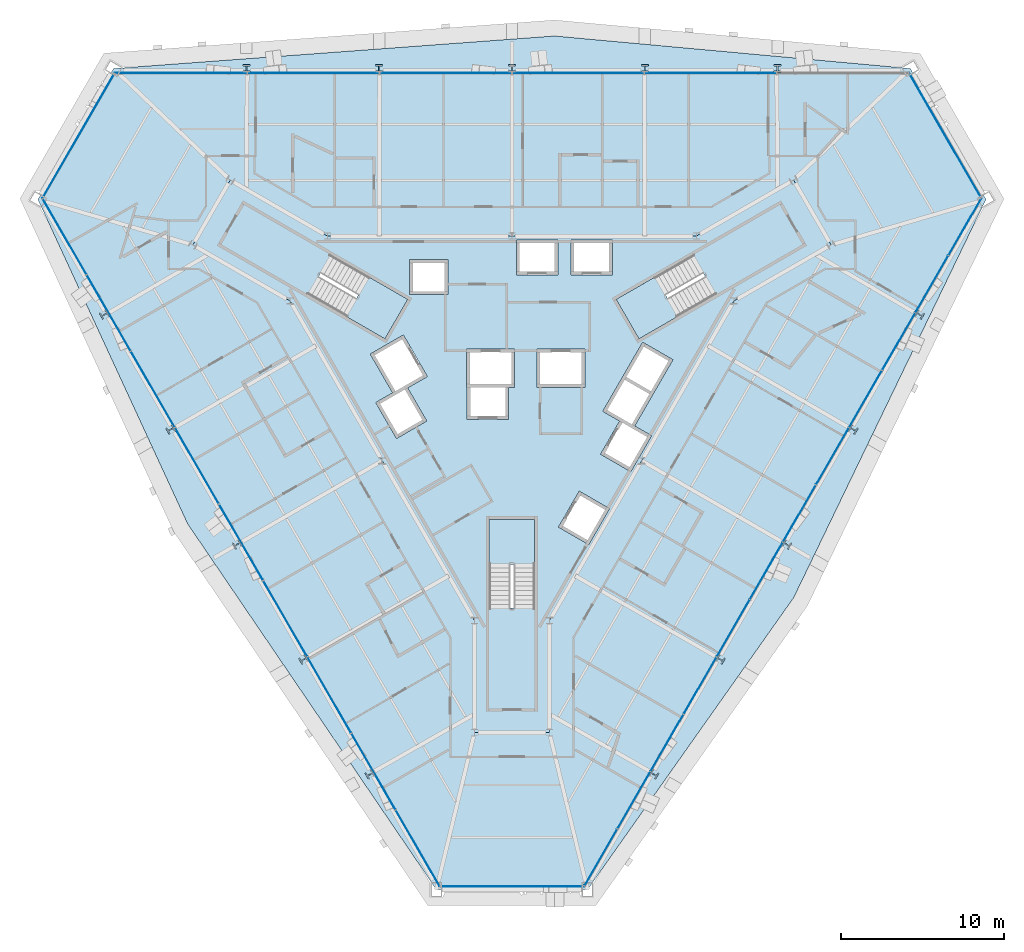
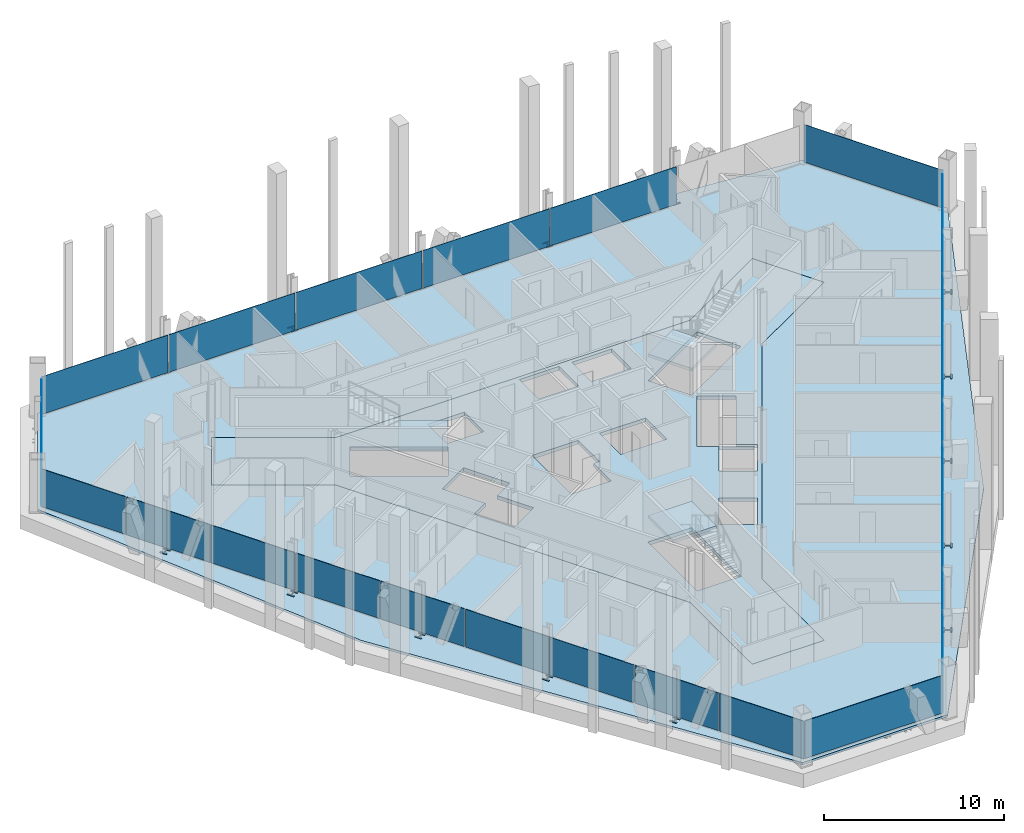
# One storey, part 12 of 19: 29 plates, 15 members, 5 slabs, 9 elements without a shape of their own.
"""IFC4 building model written with IfcOpenShell, lengths in metres."""

from ifc_helpers import new_model, si_unit, direction, frame, origin, origin_2d, place, context, subcontext, project, spatial, polyline, rectangle, i_section, outline, extrude, material, layer, layer_set, material_profile, profile_set, type_object, element, aggregate, save


model = new_model("IFC4")

# Units and contexts
model_context = context("Model", 3, precision=1e-05, world=origin(), true_north=direction((0.0, 1.0)))
body_context = subcontext(model_context, "Body", "Model", "MODEL_VIEW")
ifc_project = project(units=[si_unit("LENGTHUNIT", "METRE"), si_unit("AREAUNIT", "SQUARE_METRE"), si_unit("VOLUMEUNIT", "CUBIC_METRE"), si_unit("PLANEANGLEUNIT", "RADIAN"), si_unit("MASSUNIT", "GRAM", prefix="KILO")], contexts=[model_context])

# Site, building, storey
site_placement = place(None, origin())
site = spatial("IfcSite", under=ifc_project, at=site_placement, CompositionType="ELEMENT")
building_placement = place(site_placement, origin())
building = spatial("IfcBuilding", under=site, at=building_placement, Name="Verrane Prism Tower", CompositionType="ELEMENT")
storey_placement = place(building_placement, frame((0.0, 0.0, 121.60009765625)))
storey = spatial("IfcBuildingStorey", under=building, at=storey_placement, Name="L29", CompositionType="ELEMENT", Elevation=121.60009765625)

# Members
ifc_material_1 = material(Name="Steel A992", Category="steel")
ifc_material_profile = material_profile(ifc_material_1, i_section(OverallWidth=0.424072265625, OverallDepth=0.47509765625, WebThickness=0.0478515625, FlangeThickness=0.0771484375, FilletRadius=0.014892578125, at=origin_2d()), Name="W14x426")
ifc_profile_set = profile_set([ifc_material_profile], Name="Steel A992")
member_type = type_object("IfcMemberType", Name="Kink node W14x426", PredefinedType="COLLAR", material=ifc_profile_set)
member_1_placement = place(storey_placement, frame((16.308349609375, 19.485595703125, -0.045166015625), z_axis=(0.0, 0.0, 1.0), x_axis=(1.0, 0.0, 0.0)))
element("IfcMember", 1, at=member_1_placement, inside=storey, type_object=member_type, Name="Kink node PC4 L29", PredefinedType="COLLAR", context=body_context, shape_type="SweptSolid", body=[
    extrude(i_section(OverallWidth=0.424072265625, OverallDepth=0.47509765625, WebThickness=0.0478515625, FlangeThickness=0.0771484375, FilletRadius=0.014892578125, at=origin_2d()), origin(), (0.0, 0.0, 1.0), 0.090087890625),
])
member_2_placement = place(storey_placement, frame((8.1591796875, 19.486083984375, -0.0400390625), z_axis=(0.0, 0.0, 1.0), x_axis=(1.0, 0.0, 0.0)))
element("IfcMember", 2, at=member_2_placement, inside=storey, type_object=member_type, Name="Kink node PC4 L29", PredefinedType="COLLAR", context=body_context, shape_type="SweptSolid", body=[
    extrude(i_section(OverallWidth=0.424072265625, OverallDepth=0.47509765625, WebThickness=0.0478515625, FlangeThickness=0.0771484375, FilletRadius=0.014892578125, at=origin_2d()), origin(), (0.0, 0.0, 1.0), 0.079833984375),
])
member_3_placement = place(storey_placement, frame((0.0, 19.486572265625, -0.03515625), z_axis=(0.0, 0.0, 1.0), x_axis=(1.0, 0.0, 0.0)))
element("IfcMember", 3, at=member_3_placement, inside=storey, type_object=member_type, Name="Kink node PC4 L29", PredefinedType="COLLAR", context=body_context, shape_type="SweptSolid", body=[
    extrude(i_section(OverallWidth=0.424072265625, OverallDepth=0.47509765625, WebThickness=0.0478515625, FlangeThickness=0.0771484375, FilletRadius=0.014892578125, at=origin_2d()), origin(), (0.0, 0.0, 1.0), 0.070068359375),
])
member_4_placement = place(storey_placement, frame((-8.1591796875, 19.486083984375, -0.0400390625), z_axis=(0.0, 0.0, 1.0), x_axis=(1.0, 0.0, 0.0)))
element("IfcMember", 4, at=member_4_placement, inside=storey, type_object=member_type, Name="Kink node PC4 L29", PredefinedType="COLLAR", context=body_context, shape_type="SweptSolid", body=[
    extrude(i_section(OverallWidth=0.424072265625, OverallDepth=0.47509765625, WebThickness=0.0478515625, FlangeThickness=0.0771484375, FilletRadius=0.014892578125, at=origin_2d()), origin(), (0.0, 0.0, 1.0), 0.079833984375),
])
for number, where, z_axis, x_axis, name in (
    (5, (-16.308349609375, 19.485595703125, -0.045166015625), (0.0, 0.0, 1.0), (1.0, 0.0, 0.0), "Kink node PC4 L29"),
    (6, (8.717041015625, -23.866455078125, -0.045166015625), (0.0, 0.0, 1.0), (-0.5, -0.866025403784, 0.0), "Kink node PC4 L29"),
):
    element("IfcMember", number, at=place(storey_placement, frame(where, z_axis=z_axis, x_axis=x_axis)), inside=storey, type_object=member_type, Name=name, PredefinedType="COLLAR", context=body_context, shape_type="SweptSolid", body=[
        extrude(i_section(OverallWidth=0.424072265625, OverallDepth=0.47509765625, WebThickness=0.0478515625, FlangeThickness=0.0771484375, FilletRadius=0.014892578125, at=origin_2d()), origin(), (0.0, 0.0, 1.0), 0.090087890625),
    ])
member_5_placement = place(storey_placement, frame((12.797119140625, -16.807373046875, -0.0400390625), z_axis=(0.0, 0.0, 1.0), x_axis=(-0.5, -0.866025403784, 0.0)))
element("IfcMember", 7, at=member_5_placement, inside=storey, type_object=member_type, Name="Kink node PC4 L29", PredefinedType="COLLAR", context=body_context, shape_type="SweptSolid", body=[
    extrude(i_section(OverallWidth=0.424072265625, OverallDepth=0.47509765625, WebThickness=0.0478515625, FlangeThickness=0.0771484375, FilletRadius=0.014892578125, at=origin_2d()), origin(), (0.0, 0.0, 1.0), 0.079833984375),
])
member_6_placement = place(storey_placement, frame((16.876953125, -9.73828125, -0.03515625), z_axis=(0.0, 0.0, 1.0), x_axis=(-0.5, -0.866025403784, 0.0)))
element("IfcMember", 8, at=member_6_placement, inside=storey, type_object=member_type, Name="Kink node PC4 L29", PredefinedType="COLLAR", context=body_context, shape_type="SweptSolid", body=[
    extrude(i_section(OverallWidth=0.424072265625, OverallDepth=0.47509765625, WebThickness=0.0478515625, FlangeThickness=0.0771484375, FilletRadius=0.014892578125, at=origin_2d()), origin(), (0.0, 0.0, 1.0), 0.070068359375),
])
member_7_placement = place(storey_placement, frame((20.956298828125, -2.6787109375, -0.0400390625), z_axis=(0.0, 0.0, 1.0), x_axis=(-0.5, -0.866025403784, 0.0)))
element("IfcMember", 9, at=member_7_placement, inside=storey, type_object=member_type, Name="Kink node PC4 L29", PredefinedType="COLLAR", context=body_context, shape_type="SweptSolid", body=[
    extrude(i_section(OverallWidth=0.424072265625, OverallDepth=0.47509765625, WebThickness=0.0478515625, FlangeThickness=0.0771484375, FilletRadius=0.014892578125, at=origin_2d()), origin(), (0.0, 0.0, 1.0), 0.079833984375),
])
for number, where, z_axis, x_axis, name in (
    (10, (25.035400390625, 4.380615234375, -0.045166015625), (0.0, 0.0, 1.0), (-0.5, -0.866025403784, 0.0), "Kink node PC4 L29"),
    (11, (-25.035400390625, 4.380615234375, -0.045166015625), (0.0, 0.0, 1.0), (-0.5, 0.866025403784, 0.0), "Kink node PC4 L29"),
):
    element("IfcMember", number, at=place(storey_placement, frame(where, z_axis=z_axis, x_axis=x_axis)), inside=storey, type_object=member_type, Name=name, PredefinedType="COLLAR", context=body_context, shape_type="SweptSolid", body=[
        extrude(i_section(OverallWidth=0.424072265625, OverallDepth=0.47509765625, WebThickness=0.0478515625, FlangeThickness=0.0771484375, FilletRadius=0.014892578125, at=origin_2d()), origin(), (0.0, 0.0, 1.0), 0.090087890625),
    ])
member_8_placement = place(storey_placement, frame((-20.956298828125, -2.6787109375, -0.0400390625), z_axis=(0.0, 0.0, 1.0), x_axis=(-0.5, 0.866025403784, 0.0)))
element("IfcMember", 12, at=member_8_placement, inside=storey, type_object=member_type, Name="Kink node PC4 L29", PredefinedType="COLLAR", context=body_context, shape_type="SweptSolid", body=[
    extrude(i_section(OverallWidth=0.424072265625, OverallDepth=0.47509765625, WebThickness=0.0478515625, FlangeThickness=0.0771484375, FilletRadius=0.014892578125, at=origin_2d()), origin(), (0.0, 0.0, 1.0), 0.079833984375),
])
member_9_placement = place(storey_placement, frame((-16.876953125, -9.73828125, -0.03515625), z_axis=(0.0, 0.0, 1.0), x_axis=(-0.5, 0.866025403784, 0.0)))
element("IfcMember", 13, at=member_9_placement, inside=storey, type_object=member_type, Name="Kink node PC4 L29", PredefinedType="COLLAR", context=body_context, shape_type="SweptSolid", body=[
    extrude(i_section(OverallWidth=0.424072265625, OverallDepth=0.47509765625, WebThickness=0.0478515625, FlangeThickness=0.0771484375, FilletRadius=0.014892578125, at=origin_2d()), origin(), (0.0, 0.0, 1.0), 0.070068359375),
])
member_10_placement = place(storey_placement, frame((-12.797119140625, -16.807373046875, -0.0400390625), z_axis=(0.0, 0.0, 1.0), x_axis=(-0.5, 0.866025403784, 0.0)))
element("IfcMember", 14, at=member_10_placement, inside=storey, type_object=member_type, Name="Kink node PC4 L29", PredefinedType="COLLAR", context=body_context, shape_type="SweptSolid", body=[
    extrude(i_section(OverallWidth=0.424072265625, OverallDepth=0.47509765625, WebThickness=0.0478515625, FlangeThickness=0.0771484375, FilletRadius=0.014892578125, at=origin_2d()), origin(), (0.0, 0.0, 1.0), 0.079833984375),
])
member_11_placement = place(storey_placement, frame((-8.717041015625, -23.866455078125, -0.045166015625), z_axis=(0.0, 0.0, 1.0), x_axis=(-0.5, 0.866025403784, 0.0)))
element("IfcMember", 15, at=member_11_placement, inside=storey, type_object=member_type, Name="Kink node PC4 L29", PredefinedType="COLLAR", context=body_context, shape_type="SweptSolid", body=[
    extrude(i_section(OverallWidth=0.424072265625, OverallDepth=0.47509765625, WebThickness=0.0478515625, FlangeThickness=0.0771484375, FilletRadius=0.014892578125, at=origin_2d()), origin(), (0.0, 0.0, 1.0), 0.090087890625),
])

# Slabs
ifc_material_2 = material(Name="Concrete C35/45", Category="concrete")
ifc_layer_1 = layer(ifc_material_2, 0.159912109375)
ifc_layer_set_1 = layer_set([ifc_layer_1], Name="Composite floor slab")
slab_type_1 = type_object("IfcSlabType", Name="Composite floor slab", PredefinedType="FLOOR", material=ifc_layer_set_1)
slab_1_placement = place(storey_placement, frame((0.0, 0.0, -0.16015625)))
element("IfcSlab", 16, at=slab_1_placement, inside=storey, type_object=slab_type_1, Name="Floor slab L29", PredefinedType="FLOOR", context=body_context, shape_type="SweptSolid", body=[
    extrude(outline(polyline([(17.3056640625, -13.005615234375), (4.64306640625, -30.93798828125), (-4.64306640625, -30.93798828125), (-19.916015625, -8.484375), (-29.11474609375, 11.447998046875), (-24.4716796875, 19.489990234375), (2.6103515625, 21.489990234375), (24.4716796875, 19.489990234375), (29.11474609375, 11.447998046875), (17.3056640625, -13.005615234375)]), holes=[polyline([(19.60009765625, 8.659912109375), (17.300048828125, 12.639892578125), (11.330078125, 9.199951171875), (0.0, 9.199951171875), (-11.330078125, 9.199951171875), (-17.300048828125, 12.639892578125), (-19.60009765625, 8.659912109375), (-13.6298828125, 5.219970703125), (-7.969970703125, -4.60009765625), (-2.300048828125, -14.419921875), (-2.300048828125, -21.300048828125), (2.300048828125, -21.300048828125), (2.300048828125, -14.419921875), (7.969970703125, -4.60009765625), (13.6298828125, 5.219970703125), (19.60009765625, 8.659912109375)])]), origin(), (0.0, 0.0, 1.0), 0.16015625),
])
ifc_material_3 = material(Name="Concrete C40/50", Category="concrete")
ifc_layer_2 = layer(ifc_material_3, 0.25)
ifc_layer_set_2 = layer_set([ifc_layer_2], Name="Core floor slab 250 concrete C40/50")
slab_type_2 = type_object("IfcSlabType", Name="Core floor slab 250 concrete C40/50", PredefinedType="FLOOR", material=ifc_layer_set_2)
slab_2_placement = place(storey_placement, frame((0.0, 0.0, -0.25)))
element("IfcSlab", 17, at=slab_2_placement, inside=storey, type_object=slab_type_2, Name="Core floor L29", PredefinedType="FLOOR", context=body_context, shape_type="SweptSolid", body=[
    extrude(outline(polyline([(13.6298828125, 5.219970703125), (19.60009765625, 8.659912109375), (17.300048828125, 12.639892578125), (11.330078125, 9.199951171875), (0.0, 9.199951171875), (-11.330078125, 9.199951171875), (-17.300048828125, 12.639892578125), (-19.60009765625, 8.659912109375), (-13.6298828125, 5.219970703125), (-7.969970703125, -4.60009765625), (-2.300048828125, -14.419921875), (-2.300048828125, -21.300048828125), (2.300048828125, -21.300048828125), (2.300048828125, -14.419921875), (7.969970703125, -4.60009765625), (13.6298828125, 5.219970703125)]), holes=[polyline([(1.39990234375, -8.199951171875), (1.39990234375, -13.639892578125), (-1.39990234375, -13.639892578125), (-1.39990234375, -8.199951171875), (1.39990234375, -8.199951171875)]), polyline([(0.1650390625, 2.25), (0.1650390625, -0.10009765625), (-0.205078125, -0.10009765625), (-0.205078125, -2.050048828125), (-2.7548828125, -2.050048828125), (-2.7548828125, -0.10009765625), (-2.784912109375, -0.10009765625), (-2.784912109375, 2.25), (0.1650390625, 2.25)]), polyline([(-7.801025390625, 2.887939453125), (-12.512939453125, 5.60791015625), (-11.113037109375, 8.031982421875), (-6.40087890625, 5.31201171875), (-7.801025390625, 2.887939453125)]), polyline([(-6.284912109375, 5.610107421875), (-6.284912109375, 7.760009765625), (-3.93505859375, 7.760009765625), (-3.93505859375, 5.610107421875), (-6.284912109375, 5.610107421875)]), polyline([(2.81494140625, 6.81005859375), (0.264892578125, 6.81005859375), (0.264892578125, 8.9599609375), (2.81494140625, 8.9599609375), (2.81494140625, 6.81005859375)]), polyline([(4.717041015625, -9.75), (2.85498046875, -8.675048828125), (4.1298828125, -6.466064453125), (5.991943359375, -7.541015625), (4.717041015625, -9.75)]), polyline([(8.303955078125, -3.136962890625), (5.575927734375, -1.56201171875), (8.02587890625, 2.680908203125), (9.887939453125, 1.60595703125), (7.5380859375, -2.464111328125), (8.576904296875, -3.06396484375), (7.302001953125, -5.27197265625), (5.43994140625, -4.197021484375), (6.614990234375, -2.162109375), (8.303955078125, -3.136962890625)]), polyline([(1.52490234375, -0.10009765625), (1.52490234375, 2.25), (4.47509765625, 2.25), (4.47509765625, -0.10009765625), (1.52490234375, -0.10009765625)]), polyline([(11.113037109375, 8.031982421875), (12.512939453125, 5.60791015625), (7.801025390625, 2.887939453125), (6.40087890625, 5.31201171875), (11.113037109375, 8.031982421875)]), polyline([(3.625, 6.81005859375), (3.625, 8.9599609375), (6.175048828125, 8.9599609375), (6.175048828125, 6.81005859375), (3.625, 6.81005859375)]), polyline([(-5.23095703125, -2.159912109375), (-7.093017578125, -3.235107421875), (-8.367919921875, -1.02587890625), (-7.3291015625, -0.426025390625), (-8.7041015625, 1.955078125), (-6.66796875, 3.1298828125), (-5.193115234375, 0.574951171875), (-6.406005859375, -0.125), (-5.23095703125, -2.159912109375)])]), origin(), (0.0, 0.0, 1.0), 0.25),
])

# Curtain wall, plates
ifc_material_4 = material(Name="Aluminium framed insulated glazing", Category="aluminium")
curtain_wall_type_1 = type_object("IfcCurtainWallType", Name="Curtain wall CW-C 4200 module", PredefinedType="NOTDEFINED", material=ifc_material_4)
curtain_wall_1_placement = place(storey_placement, origin())
curtain_wall_1 = element("IfcCurtainWall", 18, at=curtain_wall_1_placement, inside=storey, type_object=curtain_wall_type_1, Name="Glazed curtain wall south-east face L29", PredefinedType="NOTDEFINED")
ifc_material_5 = material(Name="Low-iron insulating glass unit", Category="glass")
ifc_layer_3 = layer(ifc_material_5, 0.02392578125)
ifc_layer_set_3 = layer_set([ifc_layer_3], Name="Glazing panel IGU 24")
plate_type_1 = type_object("IfcPlateType", Name="Glazing panel IGU 24", PredefinedType="CURTAIN_PANEL", material=ifc_layer_set_3)
plate_1_placement = place(storey_placement, frame((5.460693359375, -28.963623046875, 0.0498046875), z_axis=(0.0, 0.0, 1.0), x_axis=(0.500000131621, 0.866025327793, 0.0)))
plate_1 = element("IfcPlate", 19, at=plate_1_placement, type_object=plate_type_1, Name="CW29.6 panel 1", PredefinedType="CURTAIN_PANEL", context=body_context, shape_type="SweptSolid", body=[
    extrude(rectangle(XDim=3.991455078125, YDim=0.02392578125, at=origin_2d()), origin(), (0.0, 0.0, 1.0), 2.56298828125),
])
plate_2_placement = place(storey_placement, frame((7.48779296875, -25.452880859375, 0.0498046875), z_axis=(0.0, 0.0, 1.0), x_axis=(0.500000131621, 0.866025327793, 0.0)))
plate_2 = element("IfcPlate", 20, at=plate_2_placement, type_object=plate_type_1, Name="CW29.6 panel 2", PredefinedType="CURTAIN_PANEL", context=body_context, shape_type="SweptSolid", body=[
    extrude(rectangle(XDim=4.016357421875, YDim=0.02392578125, at=origin_2d()), origin(), (0.0, 0.0, 1.0), 2.56298828125),
])
plate_3_placement = place(storey_placement, frame((9.52099609375, -21.93115234375, 0.0498046875), z_axis=(0.0, 0.0, 1.0), x_axis=(0.500000131621, 0.866025327793, 0.0)))
plate_3 = element("IfcPlate", 21, at=plate_3_placement, type_object=plate_type_1, Name="CW29.6 panel 3", PredefinedType="CURTAIN_PANEL", context=body_context, shape_type="SweptSolid", body=[
    extrude(rectangle(XDim=4.016357421875, YDim=0.02392578125, at=origin_2d()), origin(), (0.0, 0.0, 1.0), 2.56298828125),
])
plate_4_placement = place(storey_placement, frame((11.55419921875, -18.40966796875, 0.0498046875), z_axis=(0.0, 0.0, 1.0), x_axis=(0.500000131621, 0.866025327793, 0.0)))
plate_4 = element("IfcPlate", 22, at=plate_4_placement, type_object=plate_type_1, Name="CW29.6 panel 4", PredefinedType="CURTAIN_PANEL", context=body_context, shape_type="SweptSolid", body=[
    extrude(rectangle(XDim=4.016357421875, YDim=0.02392578125, at=origin_2d()), origin(), (0.0, 0.0, 1.0), 2.56298828125),
])
plate_5_placement = place(storey_placement, frame((13.58740234375, -14.887939453125, 0.0498046875), z_axis=(0.0, 0.0, 1.0), x_axis=(0.500000131621, 0.866025327793, 0.0)))
plate_5 = element("IfcPlate", 23, at=plate_5_placement, type_object=plate_type_1, Name="CW29.6 panel 5", PredefinedType="CURTAIN_PANEL", context=body_context, shape_type="SweptSolid", body=[
    extrude(rectangle(XDim=4.016357421875, YDim=0.02392578125, at=origin_2d()), origin(), (0.0, 0.0, 1.0), 2.56298828125),
])
plate_6_placement = place(storey_placement, frame((15.62060546875, -11.3662109375, 0.0498046875), z_axis=(0.0, 0.0, 1.0), x_axis=(0.500000131621, 0.866025327793, 0.0)))
plate_6 = element("IfcPlate", 24, at=plate_6_placement, type_object=plate_type_1, Name="CW29.6 panel 6", PredefinedType="CURTAIN_PANEL", context=body_context, shape_type="SweptSolid", body=[
    extrude(rectangle(XDim=4.016357421875, YDim=0.02392578125, at=origin_2d()), origin(), (0.0, 0.0, 1.0), 2.56298828125),
])
plate_7_placement = place(storey_placement, frame((17.65380859375, -7.8447265625, 0.0498046875), z_axis=(0.0, 0.0, 1.0), x_axis=(0.500000131621, 0.866025327793, 0.0)))
plate_7 = element("IfcPlate", 25, at=plate_7_placement, type_object=plate_type_1, Name="CW29.6 panel 7", PredefinedType="CURTAIN_PANEL", context=body_context, shape_type="SweptSolid", body=[
    extrude(rectangle(XDim=4.016357421875, YDim=0.02392578125, at=origin_2d()), origin(), (0.0, 0.0, 1.0), 2.56298828125),
])
plate_8_placement = place(storey_placement, frame((19.68701171875, -4.322998046875, 0.0498046875), z_axis=(0.0, 0.0, 1.0), x_axis=(0.500000131621, 0.866025327793, 0.0)))
plate_8 = element("IfcPlate", 26, at=plate_8_placement, type_object=plate_type_1, Name="CW29.6 panel 8", PredefinedType="CURTAIN_PANEL", context=body_context, shape_type="SweptSolid", body=[
    extrude(rectangle(XDim=4.016357421875, YDim=0.02392578125, at=origin_2d()), origin(), (0.0, 0.0, 1.0), 2.56298828125),
])
plate_9_placement = place(storey_placement, frame((21.72021484375, -0.801513671875, 0.0498046875), z_axis=(0.0, 0.0, 1.0), x_axis=(0.500000131621, 0.866025327793, 0.0)))
plate_9 = element("IfcPlate", 27, at=plate_9_placement, type_object=plate_type_1, Name="CW29.6 panel 9", PredefinedType="CURTAIN_PANEL", context=body_context, shape_type="SweptSolid", body=[
    extrude(rectangle(XDim=4.016357421875, YDim=0.02392578125, at=origin_2d()), origin(), (0.0, 0.0, 1.0), 2.56298828125),
])
plate_10_placement = place(storey_placement, frame((23.75341796875, 2.72021484375, 0.0498046875), z_axis=(0.0, 0.0, 1.0), x_axis=(0.500000131621, 0.866025327793, 0.0)))
plate_10 = element("IfcPlate", 28, at=plate_10_placement, type_object=plate_type_1, Name="CW29.6 panel 10", PredefinedType="CURTAIN_PANEL", context=body_context, shape_type="SweptSolid", body=[
    extrude(rectangle(XDim=4.016357421875, YDim=0.02392578125, at=origin_2d()), origin(), (0.0, 0.0, 1.0), 2.56298828125),
])
plate_11_placement = place(storey_placement, frame((25.78662109375, 6.241943359375, 0.0498046875), z_axis=(0.0, 0.0, 1.0), x_axis=(0.500000131621, 0.866025327793, 0.0)))
plate_11 = element("IfcPlate", 29, at=plate_11_placement, type_object=plate_type_1, Name="CW29.6 panel 11", PredefinedType="CURTAIN_PANEL", context=body_context, shape_type="SweptSolid", body=[
    extrude(rectangle(XDim=4.016357421875, YDim=0.02392578125, at=origin_2d()), origin(), (0.0, 0.0, 1.0), 2.56298828125),
])
plate_12_placement = place(storey_placement, frame((27.826171875, 9.7744140625, 0.0498046875), z_axis=(0.0, 0.0, 1.0), x_axis=(0.500000131621, 0.866025327793, 0.0)))
plate_12 = element("IfcPlate", 30, at=plate_12_placement, type_object=plate_type_1, Name="CW29.6 panel 12", PredefinedType="CURTAIN_PANEL", context=body_context, shape_type="SweptSolid", body=[
    extrude(rectangle(XDim=4.04150390625, YDim=0.02392578125, at=origin_2d()), origin(), (0.0, 0.0, 1.0), 2.56298828125),
])
aggregate(curtain_wall_1, [plate_1, plate_2, plate_3, plate_4, plate_5, plate_6, plate_7, plate_8, plate_9, plate_10, plate_11, plate_12])

ifc_material_6 = material(Name="Aluminium framed insulated glazing", Category="aluminium")
curtain_wall_type_2 = type_object("IfcCurtainWallType", Name="Curtain wall CW-B 5600 module", PredefinedType="NOTDEFINED", material=ifc_material_6)
curtain_wall_2_placement = place(storey_placement, origin())
curtain_wall_2 = element("IfcCurtainWall", 31, at=curtain_wall_2_placement, inside=storey, type_object=curtain_wall_type_2, Name="Glazed curtain wall south-west face L29", PredefinedType="NOTDEFINED")
ifc_material_7 = material(Name="Low-iron insulating glass unit", Category="glass")
ifc_layer_4 = layer(ifc_material_7, 0.028076171875)
ifc_layer_set_4 = layer_set([ifc_layer_4], Name="Glazing panel IGU 28")
plate_type_2 = type_object("IfcPlateType", Name="Glazing panel IGU 28", PredefinedType="CURTAIN_PANEL", material=ifc_layer_set_4)
plate_13_placement = place(storey_placement, frame((-27.4736328125, 9.16357421875, 0.06005859375), z_axis=(0.0, 0.0, 1.0), x_axis=(0.500000131621, -0.866025327793, 0.0)))
plate_13 = element("IfcPlate", 32, at=plate_13_placement, type_object=plate_type_2, Name="CW29.4 panel 1", PredefinedType="CURTAIN_PANEL", context=body_context, shape_type="SweptSolid", body=[
    extrude(rectangle(XDim=5.33203125, YDim=0.028076171875, at=origin_2d()), origin(), (0.0, 0.0, 1.0), 2.552978515625),
])
plate_14_placement = place(storey_placement, frame((-24.77001953125, 4.48095703125, 0.06005859375), z_axis=(0.0, 0.0, 1.0), x_axis=(0.500000131621, -0.866025327793, 0.0)))
plate_14 = element("IfcPlate", 33, at=plate_14_placement, type_object=plate_type_2, Name="CW29.4 panel 2", PredefinedType="CURTAIN_PANEL", context=body_context, shape_type="SweptSolid", body=[
    extrude(rectangle(XDim=5.36181640625, YDim=0.028076171875, at=origin_2d()), origin(), (0.0, 0.0, 1.0), 2.552978515625),
])
plate_15_placement = place(storey_placement, frame((-22.05908203125, -0.214599609375, 0.06005859375), z_axis=(0.0, 0.0, 1.0), x_axis=(0.500000131621, -0.866025327793, 0.0)))
plate_15 = element("IfcPlate", 34, at=plate_15_placement, type_object=plate_type_2, Name="CW29.4 panel 3", PredefinedType="CURTAIN_PANEL", context=body_context, shape_type="SweptSolid", body=[
    extrude(rectangle(XDim=5.36181640625, YDim=0.028076171875, at=origin_2d()), origin(), (0.0, 0.0, 1.0), 2.552978515625),
])
plate_16_placement = place(storey_placement, frame((-19.34814453125, -4.909912109375, 0.06005859375), z_axis=(0.0, 0.0, 1.0), x_axis=(0.500000131621, -0.866025327793, 0.0)))
plate_16 = element("IfcPlate", 35, at=plate_16_placement, type_object=plate_type_2, Name="CW29.4 panel 4", PredefinedType="CURTAIN_PANEL", context=body_context, shape_type="SweptSolid", body=[
    extrude(rectangle(XDim=5.36181640625, YDim=0.028076171875, at=origin_2d()), origin(), (0.0, 0.0, 1.0), 2.552978515625),
])
plate_17_placement = place(storey_placement, frame((-16.63720703125, -9.60546875, 0.06005859375), z_axis=(0.0, 0.0, 1.0), x_axis=(0.500000131621, -0.866025327793, 0.0)))
plate_17 = element("IfcPlate", 36, at=plate_17_placement, type_object=plate_type_2, Name="CW29.4 panel 5", PredefinedType="CURTAIN_PANEL", context=body_context, shape_type="SweptSolid", body=[
    extrude(rectangle(XDim=5.36181640625, YDim=0.028076171875, at=origin_2d()), origin(), (0.0, 0.0, 1.0), 2.552978515625),
])
plate_18_placement = place(storey_placement, frame((-13.92626953125, -14.301025390625, 0.06005859375), z_axis=(0.0, 0.0, 1.0), x_axis=(0.500000131621, -0.866025327793, 0.0)))
plate_18 = element("IfcPlate", 37, at=plate_18_placement, type_object=plate_type_2, Name="CW29.4 panel 6", PredefinedType="CURTAIN_PANEL", context=body_context, shape_type="SweptSolid", body=[
    extrude(rectangle(XDim=5.36181640625, YDim=0.028076171875, at=origin_2d()), origin(), (0.0, 0.0, 1.0), 2.552978515625),
])
plate_19_placement = place(storey_placement, frame((-11.21533203125, -18.99658203125, 0.06005859375), z_axis=(0.0, 0.0, 1.0), x_axis=(0.500000131621, -0.866025327793, 0.0)))
plate_19 = element("IfcPlate", 38, at=plate_19_placement, type_object=plate_type_2, Name="CW29.4 panel 7", PredefinedType="CURTAIN_PANEL", context=body_context, shape_type="SweptSolid", body=[
    extrude(rectangle(XDim=5.36181640625, YDim=0.028076171875, at=origin_2d()), origin(), (0.0, 0.0, 1.0), 2.552978515625),
])
plate_20_placement = place(storey_placement, frame((-8.50439453125, -23.692138671875, 0.06005859375), z_axis=(0.0, 0.0, 1.0), x_axis=(0.500000131621, -0.866025327793, 0.0)))
plate_20 = element("IfcPlate", 39, at=plate_20_placement, type_object=plate_type_2, Name="CW29.4 panel 8", PredefinedType="CURTAIN_PANEL", context=body_context, shape_type="SweptSolid", body=[
    extrude(rectangle(XDim=5.36181640625, YDim=0.028076171875, at=origin_2d()), origin(), (0.0, 0.0, 1.0), 2.552978515625),
])
plate_21_placement = place(storey_placement, frame((-5.785888671875, -28.400634765625, 0.06005859375), z_axis=(0.0, 0.0, 1.0), x_axis=(0.500000131621, -0.866025327793, 0.0)))
plate_21 = element("IfcPlate", 40, at=plate_21_placement, type_object=plate_type_2, Name="CW29.4 panel 9", PredefinedType="CURTAIN_PANEL", context=body_context, shape_type="SweptSolid", body=[
    extrude(rectangle(XDim=5.391845703125, YDim=0.028076171875, at=origin_2d()), origin(), (0.0, 0.0, 1.0), 2.552978515625),
])
aggregate(curtain_wall_2, [plate_13, plate_14, plate_15, plate_16, plate_17, plate_18, plate_19, plate_20, plate_21])

# Curtain wall, plate
ifc_material_8 = material(Name="Aluminium framed insulated glazing", Category="aluminium")
curtain_wall_type_3 = type_object("IfcCurtainWallType", Name="Curtain wall CW-A 8400 module", PredefinedType="NOTDEFINED", material=ifc_material_8)
curtain_wall_3_placement = place(storey_placement, origin())
curtain_wall_3 = element("IfcCurtainWall", 41, at=curtain_wall_3_placement, inside=storey, type_object=curtain_wall_type_3, Name="Glazed curtain wall north-east corner L29", PredefinedType="NOTDEFINED")
ifc_material_9 = material(Name="Low-iron insulating glass unit", Category="glass")
ifc_layer_5 = layer(ifc_material_9, 0.031982421875)
ifc_layer_set_5 = layer_set([ifc_layer_5], Name="Glazing panel IGU 32")
plate_type_3 = type_object("IfcPlateType", Name="Glazing panel IGU 32", PredefinedType="CURTAIN_PANEL", material=ifc_layer_set_5)
plate_22_placement = place(storey_placement, frame((26.60009765625, 15.39794921875, 0.06982421875), z_axis=(0.0, 0.0, 1.0), x_axis=(-0.499998452466, 0.866026297252, 0.0)))
plate_22 = element("IfcPlate", 42, at=plate_22_placement, type_object=plate_type_3, Name="CW29.1 panel 1", PredefinedType="CURTAIN_PANEL", context=body_context, shape_type="SweptSolid", body=[
    extrude(rectangle(XDim=8.805908203125, YDim=0.031982421875, at=origin_2d()), origin(), (0.0, 0.0, 1.0), 2.54296875),
])
aggregate(curtain_wall_3, [plate_22])

# Curtain wall, plates
curtain_wall_4_placement = place(storey_placement, origin())
curtain_wall_4 = element("IfcCurtainWall", 43, at=curtain_wall_4_placement, inside=storey, type_object=curtain_wall_type_3, Name="Glazed curtain wall north face L29", PredefinedType="NOTDEFINED")
plate_23_placement = place(storey_placement, frame((12.19921875, 19.2109375, 0.06982421875), z_axis=(0.0, 0.0, 1.0), x_axis=(-1.0, 0.0, 0.0)))
plate_23 = element("IfcPlate", 44, at=plate_23_placement, type_object=plate_type_3, Name="CW29.2 panel 2", PredefinedType="CURTAIN_PANEL", context=body_context, shape_type="SweptSolid", body=[
    extrude(rectangle(XDim=8.06298828125, YDim=0.031982421875, at=origin_2d()), origin(), (0.0, 0.0, 1.0), 2.54296875),
])
plate_24_placement = place(storey_placement, frame((4.06640625, 19.2109375, 0.06982421875), z_axis=(0.0, 0.0, 1.0), x_axis=(-1.0, 0.0, 0.0)))
plate_24 = element("IfcPlate", 45, at=plate_24_placement, type_object=plate_type_3, Name="CW29.2 panel 3", PredefinedType="CURTAIN_PANEL", context=body_context, shape_type="SweptSolid", body=[
    extrude(rectangle(XDim=8.06298828125, YDim=0.031982421875, at=origin_2d()), origin(), (0.0, 0.0, 1.0), 2.54296875),
])
plate_25_placement = place(storey_placement, frame((-4.06640625, 19.2109375, 0.06982421875), z_axis=(0.0, 0.0, 1.0), x_axis=(-1.0, 0.0, 0.0)))
plate_25 = element("IfcPlate", 46, at=plate_25_placement, type_object=plate_type_3, Name="CW29.2 panel 4", PredefinedType="CURTAIN_PANEL", context=body_context, shape_type="SweptSolid", body=[
    extrude(rectangle(XDim=8.06298828125, YDim=0.031982421875, at=origin_2d()), origin(), (0.0, 0.0, 1.0), 2.54296875),
])
plate_26_placement = place(storey_placement, frame((-12.19921875, 19.2109375, 0.06982421875), z_axis=(0.0, 0.0, 1.0), x_axis=(-1.0, 0.0, 0.0)))
plate_26 = element("IfcPlate", 47, at=plate_26_placement, type_object=plate_type_3, Name="CW29.2 panel 5", PredefinedType="CURTAIN_PANEL", context=body_context, shape_type="SweptSolid", body=[
    extrude(rectangle(XDim=8.06298828125, YDim=0.031982421875, at=origin_2d()), origin(), (0.0, 0.0, 1.0), 2.54296875),
])
plate_27_placement = place(storey_placement, frame((-20.349609375, 19.2109375, 0.06982421875), z_axis=(0.0, 0.0, 1.0), x_axis=(-1.0, 0.0, 0.0)))
plate_27 = element("IfcPlate", 48, at=plate_27_placement, type_object=plate_type_3, Name="CW29.2 panel 6", PredefinedType="CURTAIN_PANEL", context=body_context, shape_type="SweptSolid", body=[
    extrude(rectangle(XDim=8.097900390625, YDim=0.031982421875, at=origin_2d()), origin(), (0.0, 0.0, 1.0), 2.54296875),
])
aggregate(curtain_wall_4, [plate_23, plate_24, plate_25, plate_26, plate_27])

# Curtain wall, plate
curtain_wall_5_placement = place(storey_placement, origin())
curtain_wall_5 = element("IfcCurtainWall", 49, at=curtain_wall_5_placement, inside=storey, type_object=curtain_wall_type_3, Name="Glazed curtain wall north-west corner L29", PredefinedType="NOTDEFINED")
plate_28_placement = place(storey_placement, frame((-26.635009765625, 15.33740234375, 0.06982421875), z_axis=(0.0, 0.0, 1.0), x_axis=(-0.499998452466, -0.866026297252, 0.0)))
plate_28 = element("IfcPlate", 50, at=plate_28_placement, type_object=plate_type_3, Name="CW29.3 panel 1", PredefinedType="CURTAIN_PANEL", context=body_context, shape_type="SweptSolid", body=[
    extrude(rectangle(XDim=8.805908203125, YDim=0.031982421875, at=origin_2d()), origin(), (0.0, 0.0, 1.0), 2.54296875),
])
aggregate(curtain_wall_5, [plate_28])

curtain_wall_6_placement = place(storey_placement, origin())
curtain_wall_6 = element("IfcCurtainWall", 51, at=curtain_wall_6_placement, inside=storey, type_object=curtain_wall_type_3, Name="Glazed curtain wall south corner L29", PredefinedType="NOTDEFINED")
plate_29_placement = place(storey_placement, frame((0.034912109375, -30.7353515625, 0.06982421875), z_axis=(0.0, 0.0, 1.0), x_axis=(1.0, 0.0, 0.0)))
plate_29 = element("IfcPlate", 52, at=plate_29_placement, type_object=plate_type_3, Name="CW29.5 panel 1", PredefinedType="CURTAIN_PANEL", context=body_context, shape_type="SweptSolid", body=[
    extrude(rectangle(XDim=8.805908203125, YDim=0.031982421875, at=origin_2d()), origin(), (0.0, 0.0, 1.0), 2.54296875),
])
aggregate(curtain_wall_6, [plate_29])

# Stair, slab
ifc_material_10 = material(Name="Concrete C40/50", Category="concrete")
stair_type = type_object("IfcStairType", Name="Exit stair 1300 dog-leg precast concrete C40/50", PredefinedType="HALF_TURN_STAIR", material=ifc_material_10)
stair_1_placement = place(storey_placement, origin())
stair_1 = element("IfcStair", 53, at=stair_1_placement, inside=storey, type_object=stair_type, Name="Stair 1 L29", PredefinedType="HALF_TURN_STAIR")
ifc_material_11 = material(Name="Concrete C40/50", Category="concrete")
ifc_layer_6 = layer(ifc_material_11, 0.199951171875)
ifc_layer_set_6 = layer_set([ifc_layer_6], Name="Stair landing 200 precast concrete C40/50")
slab_type_3 = type_object("IfcSlabType", Name="Stair landing 200 precast concrete C40/50", PredefinedType="LANDING", material=ifc_layer_set_6)
slab_3_placement = place(storey_placement, frame((0.0, 0.0, 1.599853515625)))
slab_3 = element("IfcSlab", 54, at=slab_3_placement, type_object=slab_type_3, Name="Stair 1 landing 1", PredefinedType="LANDING", context=body_context, shape_type="SweptSolid", body=[
    extrude(outline(polyline([(8.791748046875, 6.6923828125), (6.4013671875, 5.3125), (7.801513671875, 2.887451171875), (10.191650390625, 4.267578125), (8.791748046875, 6.6923828125)])), origin(), (0.0, 0.0, 1.0), 0.199951171875),
])
aggregate(stair_1, [slab_3])

stair_2_placement = place(storey_placement, origin())
stair_2 = element("IfcStair", 55, at=stair_2_placement, inside=storey, type_object=stair_type, Name="Stair 2 L29", PredefinedType="HALF_TURN_STAIR")
slab_4_placement = place(storey_placement, frame((0.0, 0.0, 1.599853515625)))
slab_4 = element("IfcSlab", 56, at=slab_4_placement, type_object=slab_type_3, Name="Stair 2 landing 1", PredefinedType="LANDING", context=body_context, shape_type="SweptSolid", body=[
    extrude(outline(polyline([(-10.191650390625, 4.267578125), (-7.801513671875, 2.887451171875), (-6.4013671875, 5.3125), (-8.791748046875, 6.6923828125), (-10.191650390625, 4.267578125)])), origin(), (0.0, 0.0, 1.0), 0.199951171875),
])
aggregate(stair_2, [slab_4])

stair_3_placement = place(storey_placement, origin())
stair_3 = element("IfcStair", 57, at=stair_3_placement, inside=storey, type_object=stair_type, Name="Stair 3 L29", PredefinedType="HALF_TURN_STAIR")
slab_5_placement = place(storey_placement, frame((0.0, 0.0, 1.599853515625)))
slab_5 = element("IfcSlab", 58, at=slab_5_placement, type_object=slab_type_3, Name="Stair 3 landing 1", PredefinedType="LANDING", context=body_context, shape_type="SweptSolid", body=[
    extrude(outline(polyline([(1.39990234375, -10.9599609375), (1.39990234375, -8.199951171875), (-1.39990234375, -8.199951171875), (-1.39990234375, -10.9599609375), (1.39990234375, -10.9599609375)])), origin(), (0.0, 0.0, 1.0), 0.199951171875),
])
aggregate(stair_3, [slab_5])

save(model, "model.ifc")
